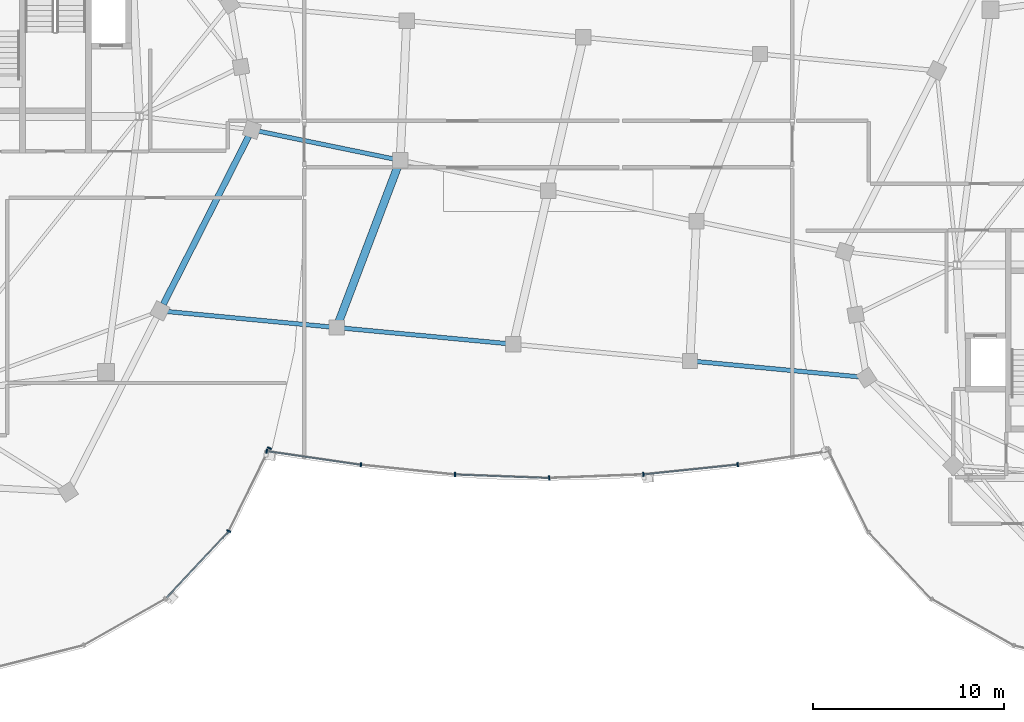
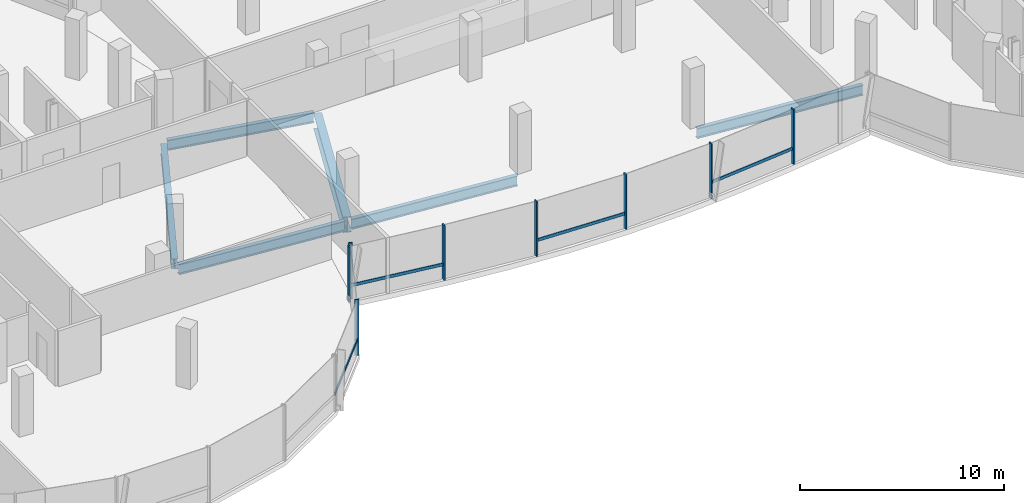
# One storey, part 4 of 25: 12 members, 6 beams, 2 elements without a shape of their own.
"""IFC4 building model written with IfcOpenShell, lengths in metres."""

from ifc_helpers import new_model, si_unit, direction, frame, origin, origin_2d, place, context, subcontext, project, spatial, rectangle, i_section, extrude, material, material_profile, profile_set, type_object, element, aggregate, save


model = new_model("IFC4")

# Units and contexts
model_context = context("Model", 3, precision=1e-05, world=origin(), true_north=direction((0.0, 1.0)))
body_context = subcontext(model_context, "Body", "Model", "MODEL_VIEW")
ifc_project = project(units=[si_unit("LENGTHUNIT", "METRE"), si_unit("AREAUNIT", "SQUARE_METRE"), si_unit("VOLUMEUNIT", "CUBIC_METRE"), si_unit("PLANEANGLEUNIT", "RADIAN"), si_unit("MASSUNIT", "GRAM", prefix="KILO"), si_unit("THERMODYNAMICTEMPERATUREUNIT", "KELVIN"), si_unit("POWERUNIT", "WATT")], contexts=[model_context])

# Site, building, storey
site_placement = place(None, origin())
site = spatial("IfcSite", under=ifc_project, at=site_placement, CompositionType="ELEMENT")
building_placement = place(site_placement, origin())
building = spatial("IfcBuilding", under=site, at=building_placement, Name="Cundina Bronze Exchange", CompositionType="ELEMENT")
storey_placement = place(building_placement, frame((0.0, 0.0, 254.0)))
storey = spatial("IfcBuildingStorey", under=building, at=storey_placement, Name="L67", CompositionType="ELEMENT", Elevation=254.0)

# Beams
ifc_material_1 = material(Name="Steel ASTM A992 Grade 50", Category="steel")
ifc_material_profile_1 = material_profile(ifc_material_1, i_section(OverallWidth=0.22998046875, OverallDepth=0.616943359375, WebThickness=0.01318359375, FlangeThickness=0.022216796875, FilletRadius=0.013916015625, at=origin_2d()), Name="W24X94", Category="steel")
ifc_profile_set_1 = profile_set([ifc_material_profile_1], Name="Steel ASTM A992 Grade 50")
beam_type_1 = type_object("IfcBeamType", Name="BM-FLR-W24B", PredefinedType="BEAM", material=ifc_profile_set_1)
for number, where, z_axis, x_axis, name in (
    (1, (-20.19580078125, -6.31689453125, -0.62841796875), (0.995572136276, -0.094000646124, 0.0), (0.094000646124, 0.995572136276, 0.0), "L67 Sky-Gate Longitudinal Girder Y1-P1"),
    (2, (-10.927001953125, -7.19189453125, -0.62841796875), (0.995572136276, -0.094000646124, 0.0), (0.094000646124, 0.995572136276, 0.0), "L67 Sky-Gate Longitudinal Girder Y1-P2"),
):
    element("IfcBeam", number, at=place(storey_placement, frame(where, z_axis=z_axis, x_axis=x_axis)), inside=storey, type_object=beam_type_1, Name=name, PredefinedType="BEAM", context=body_context, shape_type="SweptSolid", body=[
        extrude(i_section(OverallWidth=0.22998046875, OverallDepth=0.616943359375, WebThickness=0.01318359375, FlangeThickness=0.022216796875, FilletRadius=0.013916015625, at=origin_2d()), origin(), (0.0, 0.0, 1.0), 8.949951171875),
    ])
beam_1_placement = place(storey_placement, frame((7.610595703125, -8.94189453125, -0.62841796875), z_axis=(0.995571895232, -0.094003199007, 0.0), x_axis=(0.094003199007, 0.995571895232, 0.0)))
element("IfcBeam", 3, at=beam_1_placement, inside=storey, type_object=beam_type_1, Name="L67 Sky-Gate Longitudinal Girder Y1-P4", PredefinedType="BEAM", context=body_context, shape_type="SweptSolid", body=[
    extrude(i_section(OverallWidth=0.22998046875, OverallDepth=0.616943359375, WebThickness=0.01318359375, FlangeThickness=0.022216796875, FilletRadius=0.013916015625, at=origin_2d()), origin(), (0.0, 0.0, 1.0), 8.94970703125),
])
beam_2_placement = place(storey_placement, frame((-15.373779296875, 3.163818359375, -0.62841796875), z_axis=(0.979471264571, -0.20158383338, 0.0), x_axis=(0.20158383338, 0.979471264571, 0.0)))
element("IfcBeam", 4, at=beam_2_placement, inside=storey, type_object=beam_type_1, Name="L67 Sky-Gate Longitudinal Girder Y2-P1", PredefinedType="BEAM", context=body_context, shape_type="SweptSolid", body=[
    extrude(i_section(OverallWidth=0.22998046875, OverallDepth=0.616943359375, WebThickness=0.01318359375, FlangeThickness=0.022216796875, FilletRadius=0.013916015625, at=origin_2d()), origin(), (0.0, 0.0, 1.0), 7.577880859375),
])
ifc_material_profile_2 = material_profile(ifc_material_1, i_section(OverallWidth=0.324951171875, OverallDepth=0.615966796875, WebThickness=0.013916015625, FlangeThickness=0.021484375, FilletRadius=0.01611328125, at=origin_2d()), Name="W24X117", Category="steel")
ifc_profile_set_2 = profile_set([ifc_material_profile_2], Name="Steel ASTM A992 Grade 50")
beam_type_2 = type_object("IfcBeamType", Name="BM-RING-W24", PredefinedType="USERDEFINED", material=ifc_profile_set_2)
beam_3_placement = place(storey_placement, frame((-20.19921875, -5.9541015625, -0.568115234375), z_axis=(0.452839263805, 0.891592171991, 0.0), x_axis=(-0.891592171991, 0.452839263805, 0.0)))
element("IfcBeam", 5, at=beam_3_placement, inside=storey, type_object=beam_type_2, Name="L67 W Perimeter Ring Girder 13", ObjectType="GIRDER", PredefinedType="USERDEFINED", context=body_context, shape_type="SweptSolid", body=[
    extrude(i_section(OverallWidth=0.324951171875, OverallDepth=0.615966796875, WebThickness=0.013916015625, FlangeThickness=0.021484375, FilletRadius=0.01611328125, at=origin_2d()), origin(), (0.0, 0.0, 1.0), 9.879150390625),
])
ifc_material_profile_3 = material_profile(ifc_material_1, i_section(OverallWidth=0.41796875, OverallDepth=0.927001953125, WebThickness=0.019287109375, FlangeThickness=0.031982421875, FilletRadius=0.02392578125, at=origin_2d()), Name="W36X231", Category="steel")
ifc_profile_set_3 = profile_set([ifc_material_profile_3], Name="Steel ASTM A992 Grade 50")
beam_type_3 = type_object("IfcBeamType", Name="BM-WRN-W36B", PredefinedType="USERDEFINED", material=ifc_profile_set_3)
beam_4_placement = place(storey_placement, frame((-11.042236328125, -7.006591796875, -0.783447265625), z_axis=(0.354911890514, 0.934899753969, 0.0), x_axis=(-0.934899753969, 0.354911890514, 0.0)))
element("IfcBeam", 6, at=beam_4_placement, inside=storey, type_object=beam_type_3, Name="L67 Sky-Gate Transverse Girder X1-S", ObjectType="GIRDER", PredefinedType="USERDEFINED", context=body_context, shape_type="SweptSolid", body=[
    extrude(i_section(OverallWidth=0.41796875, OverallDepth=0.927001953125, WebThickness=0.019287109375, FlangeThickness=0.031982421875, FilletRadius=0.02392578125, at=origin_2d()), origin(), (0.0, 0.0, 1.0), 9.02587890625),
])

# Curtain wall, members
ifc_material_2 = material(Name="Anodised Bronze Aluminium 6063-T6", Category="aluminium")
curtain_wall_type = type_object("IfcCurtainWallType", Name="CWS-SKG-BRG", PredefinedType="NOTDEFINED", material=ifc_material_2)
curtain_wall_1_placement = place(storey_placement, origin())
curtain_wall_1 = element("IfcCurtainWall", 7, at=curtain_wall_1_placement, inside=storey, type_object=curtain_wall_type, Name="L67 CW-06 Curtain Wall Run CWR-L67-W4", PredefinedType="NOTDEFINED")
ifc_material_profile_4 = material_profile(ifc_material_2, rectangle(XDim=0.074951171875, YDim=0.219970703125, at=origin_2d()), Name="AL75X220", Category="aluminium")
ifc_profile_set_4 = profile_set([ifc_material_profile_4], Name="Anodised Bronze Aluminium 6063-T6")
member_type_1 = type_object("IfcMemberType", Name="CWM-MUL-220", PredefinedType="MULLION", material=ifc_profile_set_4)
member_1_placement = place(storey_placement, frame((-16.7666015625, -17.856689453125, 0.0), z_axis=(0.0, 0.0, 1.0), x_axis=(0.440566004113, 0.897720221461, 0.0)))
member_1 = element("IfcMember", 8, at=member_1_placement, type_object=member_type_1, Name="CW-06 Mullion 2", PredefinedType="MULLION", context=body_context, shape_type="SweptSolid", body=[
    extrude(rectangle(XDim=0.074951171875, YDim=0.219970703125, at=origin_2d()), origin(), (0.0, 0.0, 1.0), 3.340087890625),
])
member_2_placement = place(storey_placement, frame((-14.630859375, -13.50390625, 0.0), z_axis=(0.0, 0.0, 1.0), x_axis=(0.440566004113, 0.897720221461, 0.0)))
member_2 = element("IfcMember", 9, at=member_2_placement, type_object=member_type_1, Name="CW-06 End Mullion", PredefinedType="MULLION", context=body_context, shape_type="SweptSolid", body=[
    extrude(rectangle(XDim=0.074951171875, YDim=0.219970703125, at=origin_2d()), origin(), (0.0, 0.0, 1.0), 3.340087890625),
])

curtain_wall_2_placement = place(storey_placement, origin())
curtain_wall_2 = element("IfcCurtainWall", 10, at=curtain_wall_2_placement, inside=storey, type_object=curtain_wall_type, Name="L67 CW-06 Curtain Wall Run CWR-L67-BRGS", PredefinedType="NOTDEFINED")
member_3_placement = place(storey_placement, frame((-14.779296875, -13.658935546875, 0.0), z_axis=(0.0, 0.0, 1.0), x_axis=(0.989525789069, -0.144356201001, 0.0)))
member_3 = element("IfcMember", 11, at=member_3_placement, type_object=member_type_1, Name="CW-06 Mullion 1", PredefinedType="MULLION", context=body_context, shape_type="SweptSolid", body=[
    extrude(rectangle(XDim=0.074951171875, YDim=0.219970703125, at=origin_2d()), origin(), (0.0, 0.0, 1.0), 3.280029296875),
])
member_4_placement = place(storey_placement, frame((-9.83447265625, -14.378173828125, 0.0), z_axis=(0.0, 0.0, 1.0), x_axis=(0.994666875153, -0.103139747302, 0.0)))
member_4 = element("IfcMember", 12, at=member_4_placement, type_object=member_type_1, Name="CW-06 Mullion 2", PredefinedType="MULLION", context=body_context, shape_type="SweptSolid", body=[
    extrude(rectangle(XDim=0.074951171875, YDim=0.219970703125, at=origin_2d()), origin(), (0.0, 0.0, 1.0), 3.280029296875),
])
member_5_placement = place(storey_placement, frame((-4.892578125, -14.88720703125, 0.0), z_axis=(0.0, 0.0, 1.0), x_axis=(0.999302568116, -0.037341362551, 0.0)))
member_5 = element("IfcMember", 13, at=member_5_placement, type_object=member_type_1, Name="CW-06 Mullion 3", PredefinedType="MULLION", context=body_context, shape_type="SweptSolid", body=[
    extrude(rectangle(XDim=0.074951171875, YDim=0.219970703125, at=origin_2d()), origin(), (0.0, 0.0, 1.0), 3.280029296875),
])
member_6_placement = place(storey_placement, frame((0.047607421875, -15.068115234375, 0.0), z_axis=(0.0, 0.0, 1.0), x_axis=(0.999302568116, 0.037341362551, 0.0)))
member_6 = element("IfcMember", 14, at=member_6_placement, type_object=member_type_1, Name="CW-06 Mullion 4", PredefinedType="MULLION", context=body_context, shape_type="SweptSolid", body=[
    extrude(rectangle(XDim=0.074951171875, YDim=0.219970703125, at=origin_2d()), origin(), (0.0, 0.0, 1.0), 3.280029296875),
])
member_7_placement = place(storey_placement, frame((4.98876953125, -14.88037109375, 0.0), z_axis=(0.0, 0.0, 1.0), x_axis=(0.994666875153, 0.103139747302, 0.0)))
member_7 = element("IfcMember", 15, at=member_7_placement, type_object=member_type_1, Name="CW-06 Mullion 5", PredefinedType="MULLION", context=body_context, shape_type="SweptSolid", body=[
    extrude(rectangle(XDim=0.074951171875, YDim=0.219970703125, at=origin_2d()), origin(), (0.0, 0.0, 1.0), 3.280029296875),
])
member_8_placement = place(storey_placement, frame((9.93310546875, -14.36572265625, 0.0), z_axis=(0.0, 0.0, 1.0), x_axis=(0.989525789069, 0.144356201001, 0.0)))
member_8 = element("IfcMember", 16, at=member_8_placement, type_object=member_type_1, Name="CW-06 Mullion 6", PredefinedType="MULLION", context=body_context, shape_type="SweptSolid", body=[
    extrude(rectangle(XDim=0.074951171875, YDim=0.219970703125, at=origin_2d()), origin(), (0.0, 0.0, 1.0), 3.280029296875),
])

# Member
ifc_material_profile_5 = material_profile(ifc_material_2, rectangle(XDim=0.070068359375, YDim=0.179931640625, at=origin_2d()), Name="AL70X180", Category="aluminium")
ifc_profile_set_5 = profile_set([ifc_material_profile_5], Name="Anodised Bronze Aluminium 6063-T6")
member_type_2 = type_object("IfcMemberType", Name="CWM-TRN-180", PredefinedType="USERDEFINED", material=ifc_profile_set_5)
member_9_placement = place(storey_placement, frame((-20.031494140625, -21.349609375, 0.919921875), z_axis=(0.684328474899, 0.729173873944, 0.0), x_axis=(-0.729173873944, 0.684328474899, 0.0)))
member_9 = element("IfcMember", 17, at=member_9_placement, type_object=member_type_2, Name="CW-06 Spandrel Transom 1", ObjectType="TRANSOM", PredefinedType="USERDEFINED", context=body_context, shape_type="SweptSolid", body=[
    extrude(rectangle(XDim=0.070068359375, YDim=0.179931640625, at=origin_2d()), origin(), (0.0, 0.0, 1.0), 4.758056640625),
])

aggregate(curtain_wall_1, [member_9, member_1, member_2])

member_10_placement = place(storey_placement, frame((-14.738525390625, -13.664794921875, 0.91845703125), z_axis=(0.989531497997, -0.144317062302, 0.0), x_axis=(0.144317062302, 0.989531497997, 0.0)))
member_10 = element("IfcMember", 18, at=member_10_placement, type_object=member_type_2, Name="CW-06 Spandrel Transom 1", ObjectType="TRANSOM", PredefinedType="USERDEFINED", context=body_context, shape_type="SweptSolid", body=[
    extrude(rectangle(XDim=0.070068359375, YDim=0.179931640625, at=origin_2d()), origin(), (0.0, 0.0, 1.0), 4.8974609375),
])

member_11_placement = place(storey_placement, frame((-4.8515625, -14.888671875, 0.91845703125), z_axis=(0.999303683555, -0.037311500026, 0.0), x_axis=(0.037311500026, 0.999303683555, 0.0)))
member_11 = element("IfcMember", 19, at=member_11_placement, type_object=member_type_2, Name="CW-06 Spandrel Transom 3", ObjectType="TRANSOM", PredefinedType="USERDEFINED", context=body_context, shape_type="SweptSolid", body=[
    extrude(rectangle(XDim=0.070068359375, YDim=0.179931640625, at=origin_2d()), origin(), (0.0, 0.0, 1.0), 4.8486328125),
])

member_12_placement = place(storey_placement, frame((5.02978515625, -14.8759765625, 0.91845703125), z_axis=(0.994672497027, 0.103085516243, 0.0), x_axis=(-0.103085516243, 0.994672497027, 0.0)))
member_12 = element("IfcMember", 20, at=member_12_placement, type_object=member_type_2, Name="CW-06 Spandrel Transom 5", ObjectType="TRANSOM", PredefinedType="USERDEFINED", context=body_context, shape_type="SweptSolid", body=[
    extrude(rectangle(XDim=0.070068359375, YDim=0.179931640625, at=origin_2d()), origin(), (0.0, 0.0, 1.0), 4.87158203125),
])

aggregate(curtain_wall_2, [member_3, member_10, member_4, member_5, member_11, member_6, member_7, member_12, member_8])

save(model, "model.ifc")
